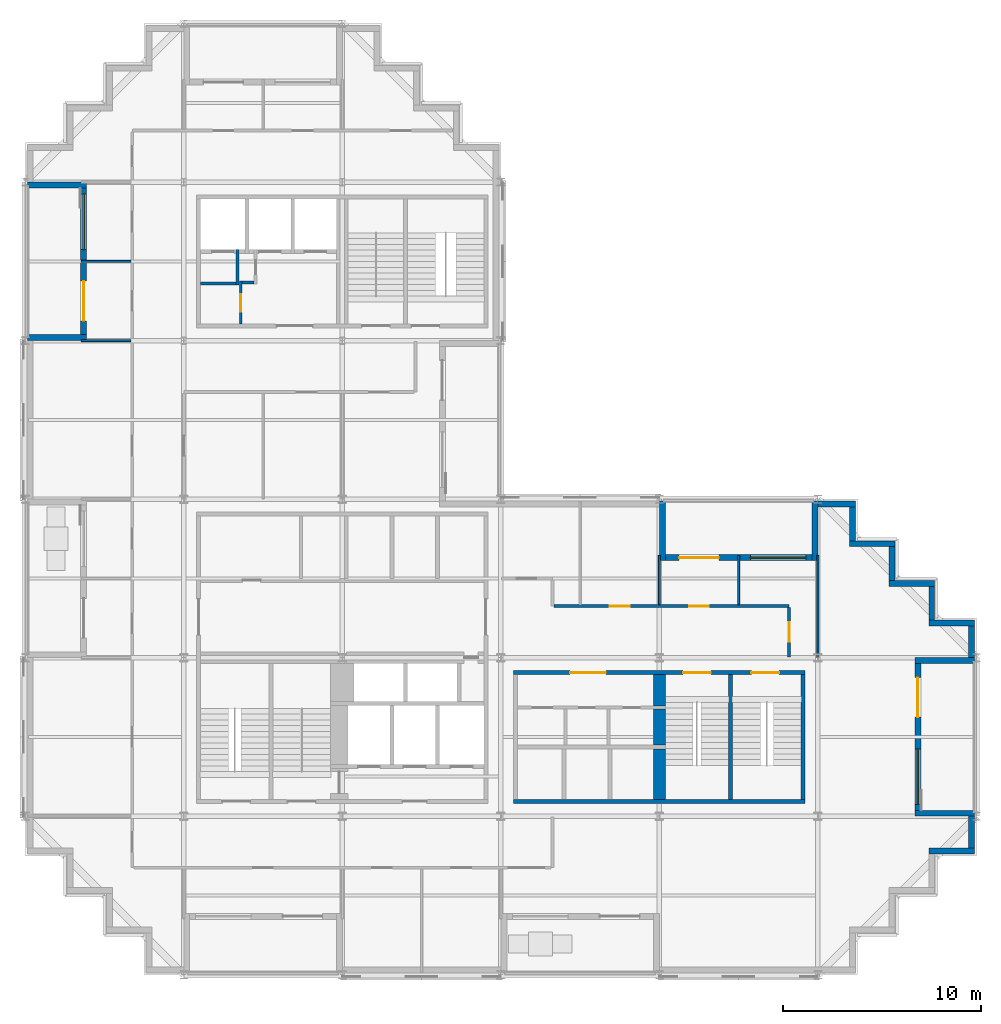
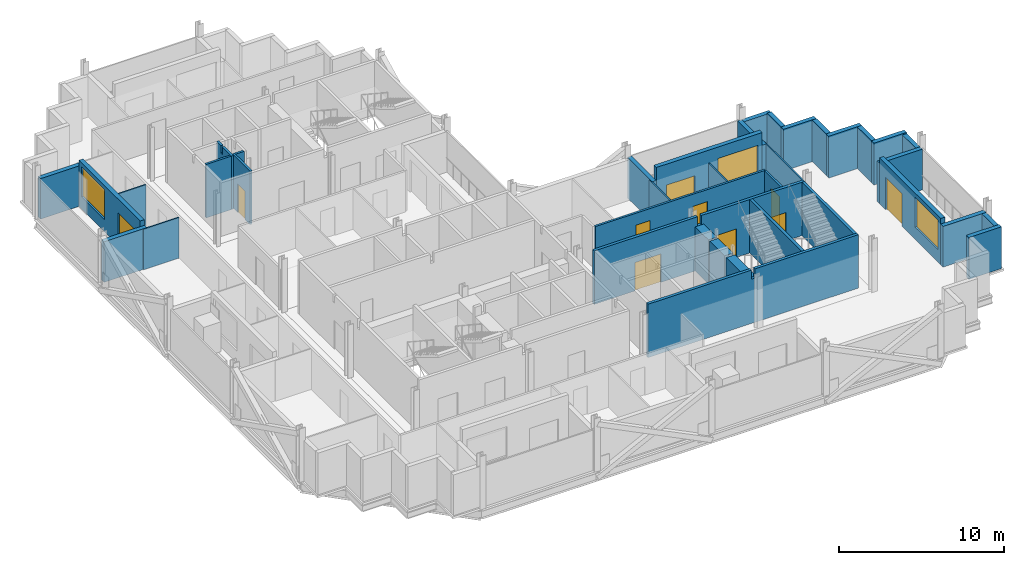
# One storey, part 7 of 12: 37 walls, 10 doors, 3 windows, 13 openings.
"""IFC4 building model written with IfcOpenShell, lengths in metres."""

from ifc_helpers import new_model, si_unit, direction, frame, frame_2d, origin, place, context, subcontext, project, spatial, polyline, rectangle, outline, extrude, material, layer, layer_set, type_object, element, fill, save


model = new_model("IFC4")

# Units and contexts
model_context = context("Model", 3, precision=1e-05, world=origin(), true_north=direction((0.0, 1.0)))
body_context = subcontext(model_context, "Body", "Model", "MODEL_VIEW")
ifc_project = project(units=[si_unit("LENGTHUNIT", "METRE"), si_unit("AREAUNIT", "SQUARE_METRE"), si_unit("VOLUMEUNIT", "CUBIC_METRE"), si_unit("PLANEANGLEUNIT", "RADIAN"), si_unit("MASSUNIT", "GRAM", prefix="KILO")], contexts=[model_context])

# Site, building, storey
site_placement = place(None, origin())
site = spatial("IfcSite", under=ifc_project, at=site_placement, CompositionType="ELEMENT")
building_placement = place(site_placement, origin())
building = spatial("IfcBuilding", under=site, at=building_placement, Name="Immortelle Media Tower", CompositionType="ELEMENT")
storey_placement = place(building_placement, frame((0.0, 0.0, 178.800048828125)))
storey = spatial("IfcBuildingStorey", under=building, at=storey_placement, Name="L37", CompositionType="ELEMENT", Elevation=178.800048828125)

# Walls
ifc_material_1 = material(Name="Fire-rated gypsum board", Category="gypsum")
ifc_layer_1 = layer(ifc_material_1, 0.02490234375)
ifc_material_2 = material(Name="Steel ASTM A653 SS Gr 50 stud frame with mineral wool", Category="steel")
ifc_layer_2 = layer(ifc_material_2, 0.10009765625)
ifc_layer_3 = layer(ifc_material_1, 0.02490234375)
ifc_layer_set_1 = layer_set([ifc_layer_1, ifc_layer_2, ifc_layer_3], Name="Steel ASTM A653 SS Gr 50 stud frame with mineral wool")
wall_type_1 = type_object("IfcWallType", Name="Core partition 150", PredefinedType="PARTITIONING", material=ifc_layer_set_1)
wall_1_placement = place(storey_placement, frame((8.85009765625, 34.875, 0.0), z_axis=(0.0, 0.0, 1.0), x_axis=(1.0, 0.0, 0.0)))
element("IfcWall", 1, at=wall_1_placement, inside=storey, type_object=wall_type_1, Name="Core partition NW", PredefinedType="PARTITIONING", context=body_context, shape_type="SweptSolid", body=[
    extrude(rectangle(XDim=1.77490234375, YDim=0.14990234375, at=frame_2d((0.887451171875, 0.0))), origin(), (0.0, 0.0, 1.0), 3.949951171875),
])
wall_2_placement = place(storey_placement, frame((10.699951171875, 34.800048828125, 0.0), z_axis=(0.0, 0.0, 1.0), x_axis=(0.0, 1.0, 0.0)))
element("IfcWall", 2, at=wall_2_placement, inside=storey, type_object=wall_type_1, Name="Core partition NW", PredefinedType="PARTITIONING", context=body_context, shape_type="SweptSolid", body=[
    extrude(outline(polyline([(0.0, 0.0), (1.800048828125, 0.0), (1.800048828125, 3.949951171875), (1.28857421875, 3.949951171875), (1.28759765625, 3.407958984375), (1.112548828125, 3.407958984375), (1.111572265625, 3.949951171875), (0.0, 3.949951171875), (0.0, 0.0)])), frame((0.0, 0.074951171875, 0.0), z_axis=(0.0, -1.0, 0.0), x_axis=(1.0, 0.0, 0.0)), (0.0, 0.0, 1.0), 0.14990234375),
])

# Wall, opening, door
wall_3_placement = place(storey_placement, frame((10.875, 32.85009765625, 0.0), z_axis=(0.0, 0.0, 1.0), x_axis=(0.0, 1.0, 0.0)))
wall_3 = element("IfcWall", 3, at=wall_3_placement, inside=storey, type_object=wall_type_1, Name="Core partition NW", PredefinedType="PARTITIONING", context=body_context, shape_type="SweptSolid", body=[
    extrude(rectangle(XDim=2.14990234375, YDim=0.14990234375, at=frame_2d((1.074951171875, 0.0))), origin(), (0.0, 0.0, 1.0), 3.949951171875),
])
opening_1_placement = place(wall_3_placement, frame((0.60009765625, 0.0, 0.0)))
opening_1 = element("IfcOpeningElement", 4, at=opening_1_placement, cuts=wall_3, Name="Opening C6-K023", PredefinedType="OPENING", context=body_context, shape_type="SweptSolid", body=[
    extrude(rectangle(XDim=0.89990234375, YDim=2.10009765625, at=frame_2d((0.449951171875, 1.050048828125))), frame((0.0, 0.0849609375, 0.0), z_axis=(0.0, -1.0, 0.0), x_axis=(1.0, 0.0, 0.0)), (0.0, 0.0, 1.0), 0.169921875),
])
ifc_material_3 = material(Name="Galvanised steel door leaf and frame ASTM A653", Category="steel")
door_type_1 = type_object("IfcDoorType", Name="Service door 900 x 2100", OperationType="NOTDEFINED", PredefinedType="NOTDEFINED", material=ifc_material_3)
door_1_placement = place(opening_1_placement, origin())
door_1 = element("IfcDoor", 5, at=door_1_placement, inside=storey, type_object=door_type_1, Name="Service C6-K023", OperationType="SINGLE_SWING_RIGHT", OverallHeight=2.10009765625, OverallWidth=0.89990234375, PredefinedType="NOTDEFINED", context=body_context, shape_type="SweptSolid", body=[
    extrude(rectangle(XDim=0.89990234375, YDim=2.10009765625, at=frame_2d((0.449951171875, 1.050048828125))), frame((0.0, 0.02490234375, 0.0), z_axis=(0.0, -1.0, 0.0), x_axis=(1.0, 0.0, 0.0)), (0.0, 0.0, 1.0), 0.050048828125),
])
fill(opening_1, door_1)

# Wall
wall_4_placement = place(storey_placement, frame((10.949951171875, 34.925048828125, 0.0), z_axis=(0.0, 0.0, 1.0), x_axis=(1.0, 0.0, 0.0)))
element("IfcWall", 6, at=wall_4_placement, inside=storey, type_object=wall_type_1, Name="Core partition NW", PredefinedType="PARTITIONING", context=body_context, shape_type="SweptSolid", body=[
    extrude(rectangle(XDim=0.60009765625, YDim=0.14990234375, at=frame_2d((0.300048828125, 0.0))), origin(), (0.0, 0.0, 1.0), 3.949951171875),
])

# Wall, opening, door
ifc_layer_4 = layer(ifc_material_1, 0.012451171875)
ifc_layer_5 = layer(ifc_material_2, 0.125)
ifc_layer_6 = layer(ifc_material_1, 0.012451171875)
ifc_layer_set_2 = layer_set([ifc_layer_4, ifc_layer_5, ifc_layer_6], Name="Steel ASTM A653 SS Gr 50 stud frame with mineral wool")
wall_type_2 = type_object("IfcWallType", Name="Corridor wall 150", PredefinedType="PARTITIONING", material=ifc_layer_set_2)
wall_5_placement = place(storey_placement, frame((38.550048828125, 16.030029296875, 0.0), z_axis=(0.0, 0.0, 1.0), x_axis=(0.0, 1.0, 0.0)))
wall_5 = element("IfcWall", 7, at=wall_5_placement, inside=storey, type_object=wall_type_2, Name="Partition L37-010", PredefinedType="PARTITIONING", context=body_context, shape_type="SweptSolid", body=[
    extrude(rectangle(XDim=2.494873046875, YDim=0.14990234375, at=frame_2d((1.24755859375, 0.0))), origin(), (0.0, 0.0, 1.0), 2.993896484375),
])
opening_2_placement = place(wall_5_placement, frame((1.77001953125, 0.0, 0.0), z_axis=(0.0, 0.0, 1.0), x_axis=(-1.0, 0.0, 0.0)))
opening_2 = element("IfcOpeningElement", 8, at=opening_2_placement, cuts=wall_5, Name="Opening C6-F008", PredefinedType="OPENING", context=body_context, shape_type="SweptSolid", body=[
    extrude(rectangle(XDim=1.0, YDim=2.10009765625, at=frame_2d((0.5, 1.050048828125))), frame((0.0, 0.0849609375, 0.0), z_axis=(0.0, -1.0, 0.0), x_axis=(1.0, 0.0, 0.0)), (0.0, 0.0, 1.0), 0.169921875),
])
ifc_material_4 = material(Name="Timber veneered door leaf, galvanised steel frame ASTM A653", Category="steel")
door_type_2 = type_object("IfcDoorType", Name="Room door 1000 x 2100", OperationType="NOTDEFINED", PredefinedType="DOOR", material=ifc_material_4)
door_2_placement = place(opening_2_placement, origin())
door_2 = element("IfcDoor", 9, at=door_2_placement, inside=storey, type_object=door_type_2, Name="Door C6-F008", OperationType="SINGLE_SWING_RIGHT", OverallHeight=2.10009765625, OverallWidth=1.0, PredefinedType="DOOR", context=body_context, shape_type="SweptSolid", body=[
    extrude(rectangle(XDim=1.0, YDim=2.10009765625, at=frame_2d((0.5, 1.050048828125))), frame((0.0, 0.02490234375, 0.0), z_axis=(0.0, -1.0, 0.0), x_axis=(1.0, 0.0, 0.0)), (0.0, 0.0, 1.0), 0.050048828125),
])
fill(opening_2, door_2)

# Wall, openings, doors
wall_6_placement = place(storey_placement, frame((26.675048828125, 18.60009765625, 0.0), z_axis=(0.0, 0.0, 1.0), x_axis=(1.0, 0.0, 0.0)))
wall_6 = element("IfcWall", 10, at=wall_6_placement, inside=storey, type_object=wall_type_2, Name="Partition L37-012", PredefinedType="PARTITIONING", context=body_context, shape_type="SweptSolid", body=[
    extrude(rectangle(XDim=11.875, YDim=0.14990234375, at=frame_2d((5.9375, 0.0))), origin(), (0.0, 0.0, 1.0), 2.993896484375),
])
opening_3_placement = place(wall_6_placement, frame((6.824951171875, 0.0, 0.0)))
opening_3 = element("IfcOpeningElement", 11, at=opening_3_placement, cuts=wall_6, Name="Opening C6-F007", PredefinedType="OPENING", context=body_context, shape_type="SweptSolid", body=[
    extrude(rectangle(XDim=1.0, YDim=2.10009765625, at=frame_2d((0.5, 1.050048828125))), frame((0.0, 0.0849609375, 0.0), z_axis=(0.0, -1.0, 0.0), x_axis=(1.0, 0.0, 0.0)), (0.0, 0.0, 1.0), 0.169921875),
])
opening_4_placement = place(wall_6_placement, frame((2.824951171875, 0.0, 0.0)))
opening_4 = element("IfcOpeningElement", 12, at=opening_4_placement, cuts=wall_6, Name="Opening C6-F012", PredefinedType="OPENING", context=body_context, shape_type="SweptSolid", body=[
    extrude(rectangle(XDim=1.0, YDim=2.10009765625, at=frame_2d((0.5, 1.050048828125))), frame((0.0, 0.0849609375, 0.0), z_axis=(0.0, -1.0, 0.0), x_axis=(1.0, 0.0, 0.0)), (0.0, 0.0, 1.0), 0.169921875),
])
door_3_placement = place(opening_3_placement, origin())
door_3 = element("IfcDoor", 13, at=door_3_placement, inside=storey, type_object=door_type_2, Name="Door C6-F007", OperationType="SINGLE_SWING_LEFT", OverallHeight=2.10009765625, OverallWidth=1.0, PredefinedType="DOOR", context=body_context, shape_type="SweptSolid", body=[
    extrude(rectangle(XDim=1.0, YDim=2.10009765625, at=frame_2d((0.5, 1.050048828125))), frame((0.0, 0.02490234375, 0.0), z_axis=(0.0, -1.0, 0.0), x_axis=(1.0, 0.0, 0.0)), (0.0, 0.0, 1.0), 0.050048828125),
])
fill(opening_3, door_3)
door_4_placement = place(opening_4_placement, origin())
door_4 = element("IfcDoor", 14, at=door_4_placement, inside=storey, type_object=door_type_2, Name="Door C6-F012", OperationType="SINGLE_SWING_RIGHT", OverallHeight=2.10009765625, OverallWidth=1.0, PredefinedType="DOOR", context=body_context, shape_type="SweptSolid", body=[
    extrude(rectangle(XDim=1.0, YDim=2.10009765625, at=frame_2d((0.5, 1.050048828125))), frame((0.0, 0.02490234375, 0.0), z_axis=(0.0, -1.0, 0.0), x_axis=(1.0, 0.0, 0.0)), (0.0, 0.0, 1.0), 0.050048828125),
])
fill(opening_4, door_4)

# Walls
ifc_material_5 = material(Name="Pale aluminium cladding panel", Category="aluminium")
ifc_layer_7 = layer(ifc_material_5, 0.030029296875)
ifc_layer_8 = layer(ifc_material_2, 0.257568359375)
ifc_material_6 = material(Name="Moisture-resistant gypsum board", Category="gypsum")
ifc_layer_9 = layer(ifc_material_6, 0.012451171875)
ifc_layer_set_3 = layer_set([ifc_layer_7, ifc_layer_8, ifc_layer_9], Name="Steel ASTM A653 SS Gr 50 stud frame with mineral wool")
wall_type_3 = type_object("IfcWallType", Name="Facade wall 300", PredefinedType="SOLIDWALL", material=ifc_layer_set_3)
wall_7_placement = place(storey_placement, frame((45.60009765625, 6.25, 0.0), z_axis=(0.0, 0.0, 1.0), x_axis=(1.0, 0.0, 0.0)))
element("IfcWall", 15, at=wall_7_placement, inside=storey, type_object=wall_type_3, Name="Facade wall L37 S12", PredefinedType="SOLIDWALL", context=body_context, shape_type="SweptSolid", body=[
    extrude(rectangle(XDim=2.2998046875, YDim=0.300048828125, at=frame_2d((1.14990234375, 0.0))), origin(), (0.0, 0.0, 1.0), 3.087890625),
])
wall_8_placement = place(storey_placement, frame((47.75, 6.39990234375, 0.0), z_axis=(0.0, 0.0, 1.0), x_axis=(0.0, 1.0, 0.0)))
element("IfcWall", 16, at=wall_8_placement, inside=storey, type_object=wall_type_3, Name="Facade wall L37 E13", PredefinedType="SOLIDWALL", context=body_context, shape_type="SweptSolid", body=[
    extrude(rectangle(XDim=1.60009765625, YDim=0.300048828125, at=frame_2d((0.800048828125, 0.0))), origin(), (0.0, 0.0, 1.0), 2.9990234375),
])

# Wall, openings, door, window
wall_9_placement = place(storey_placement, frame((45.050048828125, 8.300048828125, 0.0), z_axis=(0.0, 0.0, 1.0), x_axis=(0.0, 1.0, 0.0)))
wall_9 = element("IfcWall", 17, at=wall_9_placement, inside=storey, type_object=wall_type_3, Name="Loggia wall L37 E13", PredefinedType="SOLIDWALL", context=body_context, shape_type="SweptSolid", body=[
    extrude(rectangle(XDim=7.39990234375, YDim=0.300048828125, at=frame_2d((3.699951171875, 0.0))), origin(), (0.0, 0.0, 1.0), 3.412841796875),
])
opening_5_placement = place(wall_9_placement, frame((0.300048828125, 0.0, 0.89990234375)))
opening_5 = element("IfcOpeningElement", 18, at=opening_5_placement, cuts=wall_9, Name="Opening W1", PredefinedType="OPENING", context=body_context, shape_type="SweptSolid", body=[
    extrude(rectangle(XDim=2.800048828125, YDim=2.199951171875, at=frame_2d((1.39990234375, 1.10009765625))), frame((0.0, 0.159912109375, 0.0), z_axis=(0.0, -1.0, 0.0), x_axis=(1.0, 0.0, 0.0)), (0.0, 0.0, 1.0), 0.320068359375),
])
opening_6_placement = place(wall_9_placement, frame((4.699951171875, 0.0, 0.0)))
opening_6 = element("IfcOpeningElement", 19, at=opening_6_placement, cuts=wall_9, Name="Opening C6-E003", PredefinedType="OPENING", context=body_context, shape_type="SweptSolid", body=[
    extrude(rectangle(XDim=2.0, YDim=2.39990234375, at=frame_2d((1.0, 1.199951171875))), frame((0.0, 0.159912109375, 0.0), z_axis=(0.0, -1.0, 0.0), x_axis=(1.0, 0.0, 0.0)), (0.0, 0.0, 1.0), 0.320068359375),
])
ifc_material_7 = material(Name="Aluminium frame, glazed leaves", Category="aluminium")
door_type_3 = type_object("IfcDoorType", Name="Loggia door 2000 x 2400", OperationType="DOUBLE_DOOR_SINGLE_SWING", PredefinedType="DOOR", material=ifc_material_7)
door_5_placement = place(opening_6_placement, origin())
door_5 = element("IfcDoor", 20, at=door_5_placement, inside=storey, type_object=door_type_3, Name="Door C6-E003", OperationType="DOUBLE_DOOR_SINGLE_SWING", OverallHeight=2.39990234375, OverallWidth=2.0, PredefinedType="DOOR", context=body_context, shape_type="SweptSolid", body=[
    extrude(rectangle(XDim=2.0, YDim=2.39990234375, at=frame_2d((1.0, 1.199951171875))), frame((0.0, 0.02490234375, 0.0), z_axis=(0.0, -1.0, 0.0), x_axis=(1.0, 0.0, 0.0)), (0.0, 0.0, 1.0), 0.050048828125),
])
fill(opening_6, door_5)
ifc_material_8 = material(Name="Aluminium frame", Category="aluminium")
window_type = type_object("IfcWindowType", Name="Window 2800 x 2200", PartitioningType="SINGLE_PANEL", PredefinedType="WINDOW", material=ifc_material_8)
window_1_placement = place(opening_5_placement, origin())
window_1 = element("IfcWindow", 21, at=window_1_placement, inside=storey, type_object=window_type, Name="Window L37 L37-R13-B0", OverallHeight=2.199951171875, OverallWidth=2.800048828125, PartitioningType="SINGLE_PANEL", PredefinedType="WINDOW", context=body_context, shape_type="SweptSolid", body=[
    extrude(rectangle(XDim=2.800048828125, YDim=2.199951171875, at=frame_2d((1.39990234375, 1.10009765625))), frame((0.0, 0.030029296875, 0.0), z_axis=(0.0, -1.0, 0.0), x_axis=(1.0, 0.0, 0.0)), (0.0, 0.0, 1.0), 0.06005859375),
])
fill(opening_5, window_1)

# Walls
for number, where, z_axis, x_axis, name in (
    (22, (47.89990234375, 8.14990234375, 0.0), (0.0, 0.0, 1.0), (-1.0, 0.0, 0.0), "Loggia cheek wall L37 E"),
    (23, (47.89990234375, 15.85009765625, 0.0), (0.0, 0.0, 1.0), (-1.0, 0.0, 0.0), "Loggia cheek wall L37 E"),
):
    element("IfcWall", number, at=place(storey_placement, frame(where, z_axis=z_axis, x_axis=x_axis)), inside=storey, type_object=wall_type_3, Name=name, PredefinedType="SOLIDWALL", context=body_context, shape_type="SweptSolid", body=[
        extrude(rectangle(XDim=3.0, YDim=0.300048828125, at=frame_2d((1.5, 0.0))), origin(), (0.0, 0.0, 1.0), 2.9990234375),
    ])
wall_10_placement = place(storey_placement, frame((47.75, 16.0, 0.0), z_axis=(0.0, 0.0, 1.0), x_axis=(0.0, 1.0, 0.0)))
element("IfcWall", 24, at=wall_10_placement, inside=storey, type_object=wall_type_3, Name="Facade wall L37 E13", PredefinedType="SOLIDWALL", context=body_context, shape_type="SweptSolid", body=[
    extrude(rectangle(XDim=1.60009765625, YDim=0.300048828125, at=frame_2d((0.800048828125, 0.0))), origin(), (0.0, 0.0, 1.0), 2.9990234375),
])
wall_11_placement = place(storey_placement, frame((47.89990234375, 17.75, 0.0), z_axis=(0.0, 0.0, 1.0), x_axis=(-1.0, 0.0, 0.0)))
element("IfcWall", 25, at=wall_11_placement, inside=storey, type_object=wall_type_3, Name="Facade wall L37 N14", PredefinedType="SOLIDWALL", context=body_context, shape_type="SweptSolid", body=[
    extrude(rectangle(XDim=2.2998046875, YDim=0.300048828125, at=frame_2d((1.14990234375, 0.0))), origin(), (0.0, 0.0, 1.0), 3.087890625),
])
wall_12_placement = place(storey_placement, frame((45.75, 17.89990234375, 0.0), z_axis=(0.0, 0.0, 1.0), x_axis=(0.0, 1.0, 0.0)))
element("IfcWall", 26, at=wall_12_placement, inside=storey, type_object=wall_type_3, Name="Facade wall L37 E15", PredefinedType="SOLIDWALL", context=body_context, shape_type="SweptSolid", body=[
    extrude(rectangle(XDim=1.7001953125, YDim=0.300048828125, at=frame_2d((0.85009765625, 0.0))), origin(), (0.0, 0.0, 1.0), 3.087890625),
])
wall_13_placement = place(storey_placement, frame((45.89990234375, 19.75, 0.0), z_axis=(0.0, 0.0, 1.0), x_axis=(-1.0, 0.0, 0.0)))
element("IfcWall", 27, at=wall_13_placement, inside=storey, type_object=wall_type_3, Name="Facade wall L37 N16", PredefinedType="SOLIDWALL", context=body_context, shape_type="SweptSolid", body=[
    extrude(rectangle(XDim=2.2998046875, YDim=0.300048828125, at=frame_2d((1.14990234375, 0.0))), origin(), (0.0, 0.0, 1.0), 3.087890625),
])
wall_14_placement = place(storey_placement, frame((43.75, 19.89990234375, 0.0), z_axis=(0.0, 0.0, 1.0), x_axis=(0.0, 1.0, 0.0)))
element("IfcWall", 28, at=wall_14_placement, inside=storey, type_object=wall_type_3, Name="Facade wall L37 E17", PredefinedType="SOLIDWALL", context=body_context, shape_type="SweptSolid", body=[
    extrude(rectangle(XDim=1.7001953125, YDim=0.300048828125, at=frame_2d((0.85009765625, 0.0))), origin(), (0.0, 0.0, 1.0), 3.087890625),
])
wall_15_placement = place(storey_placement, frame((43.89990234375, 21.75, 0.0), z_axis=(0.0, 0.0, 1.0), x_axis=(-1.0, 0.0, 0.0)))
element("IfcWall", 29, at=wall_15_placement, inside=storey, type_object=wall_type_3, Name="Facade wall L37 N18", PredefinedType="SOLIDWALL", context=body_context, shape_type="SweptSolid", body=[
    extrude(rectangle(XDim=2.2998046875, YDim=0.300048828125, at=frame_2d((1.14990234375, 0.0))), origin(), (0.0, 0.0, 1.0), 3.087890625),
])
wall_16_placement = place(storey_placement, frame((41.75, 21.89990234375, 0.0), z_axis=(0.0, 0.0, 1.0), x_axis=(0.0, 1.0, 0.0)))
element("IfcWall", 30, at=wall_16_placement, inside=storey, type_object=wall_type_3, Name="Facade wall L37 E19", PredefinedType="SOLIDWALL", context=body_context, shape_type="SweptSolid", body=[
    extrude(rectangle(XDim=1.7001953125, YDim=0.300048828125, at=frame_2d((0.85009765625, 0.0))), origin(), (0.0, 0.0, 1.0), 3.087890625),
])
wall_17_placement = place(storey_placement, frame((41.89990234375, 23.75, 0.0), z_axis=(0.0, 0.0, 1.0), x_axis=(-1.0, 0.0, 0.0)))
element("IfcWall", 31, at=wall_17_placement, inside=storey, type_object=wall_type_3, Name="Facade wall L37 N20", PredefinedType="SOLIDWALL", context=body_context, shape_type="SweptSolid", body=[
    extrude(rectangle(XDim=1.89990234375, YDim=0.300048828125, at=frame_2d((0.949951171875, 0.0))), origin(), (0.0, 0.0, 1.0), 2.9990234375),
])

# Wall, openings, door, window
wall_18_placement = place(storey_placement, frame((39.699951171875, 21.050048828125, 0.0), z_axis=(0.0, 0.0, 1.0), x_axis=(-1.0, 0.0, 0.0)))
wall_18 = element("IfcWall", 32, at=wall_18_placement, inside=storey, type_object=wall_type_3, Name="Loggia wall L37 N20", PredefinedType="SOLIDWALL", context=body_context, shape_type="SweptSolid", body=[
    extrude(rectangle(XDim=7.39990234375, YDim=0.300048828125, at=frame_2d((3.699951171875, 0.0))), origin(), (0.0, 0.0, 1.0), 3.949951171875),
])
opening_7_placement = place(wall_18_placement, frame((0.300048828125, 0.0, 0.89990234375)))
opening_7 = element("IfcOpeningElement", 33, at=opening_7_placement, cuts=wall_18, Name="Opening W1", PredefinedType="OPENING", context=body_context, shape_type="SweptSolid", body=[
    extrude(rectangle(XDim=2.800048828125, YDim=2.199951171875, at=frame_2d((1.39990234375, 1.10009765625))), frame((0.0, 0.159912109375, 0.0), z_axis=(0.0, -1.0, 0.0), x_axis=(1.0, 0.0, 0.0)), (0.0, 0.0, 1.0), 0.320068359375),
])
opening_8_placement = place(wall_18_placement, frame((4.699951171875, 0.0, 0.0)))
opening_8 = element("IfcOpeningElement", 34, at=opening_8_placement, cuts=wall_18, Name="Opening C6-E004", PredefinedType="OPENING", context=body_context, shape_type="SweptSolid", body=[
    extrude(rectangle(XDim=2.0, YDim=2.39990234375, at=frame_2d((1.0, 1.199951171875))), frame((0.0, 0.159912109375, 0.0), z_axis=(0.0, -1.0, 0.0), x_axis=(1.0, 0.0, 0.0)), (0.0, 0.0, 1.0), 0.320068359375),
])
door_6_placement = place(opening_8_placement, origin())
door_6 = element("IfcDoor", 35, at=door_6_placement, inside=storey, type_object=door_type_3, Name="Door C6-E004", OperationType="DOUBLE_DOOR_SINGLE_SWING", OverallHeight=2.39990234375, OverallWidth=2.0, PredefinedType="DOOR", context=body_context, shape_type="SweptSolid", body=[
    extrude(rectangle(XDim=2.0, YDim=2.39990234375, at=frame_2d((1.0, 1.199951171875))), frame((0.0, 0.02490234375, 0.0), z_axis=(0.0, -1.0, 0.0), x_axis=(1.0, 0.0, 0.0)), (0.0, 0.0, 1.0), 0.050048828125),
])
fill(opening_8, door_6)
window_2_placement = place(opening_7_placement, origin())
window_2 = element("IfcWindow", 36, at=window_2_placement, inside=storey, type_object=window_type, Name="Window L37 L37-R20-B0", OverallHeight=2.199951171875, OverallWidth=2.800048828125, PartitioningType="SINGLE_PANEL", PredefinedType="WINDOW", context=body_context, shape_type="SweptSolid", body=[
    extrude(rectangle(XDim=2.800048828125, YDim=2.199951171875, at=frame_2d((1.39990234375, 1.10009765625))), frame((0.0, 0.030029296875, 0.0), z_axis=(0.0, -1.0, 0.0), x_axis=(1.0, 0.0, 0.0)), (0.0, 0.0, 1.0), 0.06005859375),
])
fill(opening_7, window_2)

# Walls
for number, where, z_axis, x_axis, name in (
    (37, (39.85009765625, 23.89990234375, 0.0), (0.0, 0.0, 1.0), (0.0, -1.0, 0.0), "Loggia cheek wall L37 N"),
    (38, (32.14990234375, 23.89990234375, 0.0), (0.0, 0.0, 1.0), (0.0, -1.0, 0.0), "Loggia cheek wall L37 N"),
):
    element("IfcWall", number, at=place(storey_placement, frame(where, z_axis=z_axis, x_axis=x_axis)), inside=storey, type_object=wall_type_3, Name=name, PredefinedType="SOLIDWALL", context=body_context, shape_type="SweptSolid", body=[
        extrude(rectangle(XDim=3.0, YDim=0.300048828125, at=frame_2d((1.5, 0.0))), origin(), (0.0, 0.0, 1.0), 2.9990234375),
    ])

# Wall, openings, door, window
wall_19_placement = place(storey_placement, frame((2.949951171875, 39.699951171875, 0.0), z_axis=(0.0, 0.0, 1.0), x_axis=(0.0, -1.0, 0.0)))
wall_19 = element("IfcWall", 39, at=wall_19_placement, inside=storey, type_object=wall_type_3, Name="Loggia wall L37 W35", PredefinedType="SOLIDWALL", context=body_context, shape_type="SweptSolid", body=[
    extrude(rectangle(XDim=7.39990234375, YDim=0.300048828125, at=frame_2d((3.699951171875, 0.0))), origin(), (0.0, 0.0, 1.0), 3.412841796875),
])
opening_9_placement = place(wall_19_placement, frame((0.300048828125, 0.0, 0.89990234375)))
opening_9 = element("IfcOpeningElement", 40, at=opening_9_placement, cuts=wall_19, Name="Opening W1", PredefinedType="OPENING", context=body_context, shape_type="SweptSolid", body=[
    extrude(rectangle(XDim=2.800048828125, YDim=2.199951171875, at=frame_2d((1.39990234375, 1.10009765625))), frame((0.0, 0.159912109375, 0.0), z_axis=(0.0, -1.0, 0.0), x_axis=(1.0, 0.0, 0.0)), (0.0, 0.0, 1.0), 0.320068359375),
])
opening_10_placement = place(wall_19_placement, frame((4.699951171875, 0.0, 0.0)))
opening_10 = element("IfcOpeningElement", 41, at=opening_10_placement, cuts=wall_19, Name="Opening C6-E007", PredefinedType="OPENING", context=body_context, shape_type="SweptSolid", body=[
    extrude(rectangle(XDim=2.0, YDim=2.39990234375, at=frame_2d((1.0, 1.199951171875))), frame((0.0, 0.159912109375, 0.0), z_axis=(0.0, -1.0, 0.0), x_axis=(1.0, 0.0, 0.0)), (0.0, 0.0, 1.0), 0.320068359375),
])
door_7_placement = place(opening_10_placement, origin())
door_7 = element("IfcDoor", 42, at=door_7_placement, inside=storey, type_object=door_type_3, Name="Door C6-E007", OperationType="DOUBLE_DOOR_SINGLE_SWING", OverallHeight=2.39990234375, OverallWidth=2.0, PredefinedType="DOOR", context=body_context, shape_type="SweptSolid", body=[
    extrude(rectangle(XDim=2.0, YDim=2.39990234375, at=frame_2d((1.0, 1.199951171875))), frame((0.0, 0.02490234375, 0.0), z_axis=(0.0, -1.0, 0.0), x_axis=(1.0, 0.0, 0.0)), (0.0, 0.0, 1.0), 0.050048828125),
])
fill(opening_10, door_7)
window_3_placement = place(opening_9_placement, origin())
window_3 = element("IfcWindow", 43, at=window_3_placement, inside=storey, type_object=window_type, Name="Window L37 L37-R35-B0", OverallHeight=2.199951171875, OverallWidth=2.800048828125, PartitioningType="SINGLE_PANEL", PredefinedType="WINDOW", context=body_context, shape_type="SweptSolid", body=[
    extrude(rectangle(XDim=2.800048828125, YDim=2.199951171875, at=frame_2d((1.39990234375, 1.10009765625))), frame((0.0, 0.030029296875, 0.0), z_axis=(0.0, -1.0, 0.0), x_axis=(1.0, 0.0, 0.0)), (0.0, 0.0, 1.0), 0.06005859375),
])
fill(opening_9, window_3)

# Walls
for number, where, z_axis, x_axis, name in (
    (44, (0.10009765625, 39.85009765625, 0.0), (0.0, 0.0, 1.0), (1.0, 0.0, 0.0), "Loggia cheek wall L37 W"),
    (45, (0.10009765625, 32.14990234375, 0.0), (0.0, 0.0, 1.0), (1.0, 0.0, 0.0), "Loggia cheek wall L37 W"),
):
    element("IfcWall", number, at=place(storey_placement, frame(where, z_axis=z_axis, x_axis=x_axis)), inside=storey, type_object=wall_type_3, Name=name, PredefinedType="SOLIDWALL", context=body_context, shape_type="SweptSolid", body=[
        extrude(rectangle(XDim=3.0, YDim=0.300048828125, at=frame_2d((1.5, 0.0))), origin(), (0.0, 0.0, 1.0), 2.9990234375),
    ])
ifc_material_9 = material(Name="Gypsum board", Category="gypsum")
ifc_layer_10 = layer(ifc_material_9, 0.012451171875)
ifc_layer_11 = layer(ifc_material_2, 0.074951171875)
ifc_layer_12 = layer(ifc_material_9, 0.012451171875)
ifc_layer_set_4 = layer_set([ifc_layer_10, ifc_layer_11, ifc_layer_12], Name="Steel ASTM A653 SS Gr 50 stud frame with mineral wool")
wall_type_4 = type_object("IfcWallType", Name="Partition 100", PredefinedType="PARTITIONING", material=ifc_layer_set_4)
wall_20_placement = place(storey_placement, frame((40.0, 16.030029296875, 0.0), z_axis=(0.0, 0.0, 1.0), x_axis=(0.0, 1.0, 0.0)))
element("IfcWall", 46, at=wall_20_placement, inside=storey, type_object=wall_type_4, Name="Partition L37-011", PredefinedType="PARTITIONING", context=body_context, shape_type="SweptSolid", body=[
    extrude(rectangle(XDim=5.139892578125, YDim=0.10009765625, at=frame_2d((2.56982421875, 0.0))), origin(), (0.0, 0.0, 1.0), 2.993896484375),
])
for number, where, z_axis, x_axis, name in (
    (47, (32.0, 18.675048828125, 0.0), (0.0, 0.0, 1.0), (0.0, 1.0, 0.0), "Partition L37-015"),
    (48, (36.0, 18.675048828125, 0.0), (0.0, 0.0, 1.0), (0.0, 1.0, 0.0), "Partition L37-016"),
    (49, (2.830078125, 32.0, 0.0), (0.0, 0.0, 1.0), (1.0, 0.0, 0.0), "Partition L37-025"),
    (50, (2.830078125, 36.0, 0.0), (0.0, 0.0, 1.0), (1.0, 0.0, 0.0), "Partition L37-026"),
):
    element("IfcWall", number, at=place(storey_placement, frame(where, z_axis=z_axis, x_axis=x_axis)), inside=storey, type_object=wall_type_4, Name=name, PredefinedType="PARTITIONING", context=body_context, shape_type="SweptSolid", body=[
        extrude(rectangle(XDim=2.494873046875, YDim=0.10009765625, at=frame_2d((1.24755859375, 0.0))), origin(), (0.0, 0.0, 1.0), 2.993896484375),
    ])
ifc_material_10 = material(Name="Concrete C60", Category="concrete")
ifc_layer_13 = layer(ifc_material_10, 0.199951171875)
ifc_layer_set_5 = layer_set([ifc_layer_13], Name="Concrete C60")
wall_type_5 = type_object("IfcWallType", Name="Stair shaft wall 200", PredefinedType="PARTITIONING", material=ifc_layer_set_5)
wall_21_placement = place(storey_placement, frame((24.64990234375, 8.75, 0.0), z_axis=(0.0, 0.0, 1.0), x_axis=(1.0, 0.0, 0.0)))
element("IfcWall", 51, at=wall_21_placement, inside=storey, type_object=wall_type_5, Name="Stair shaft wall SE", PredefinedType="PARTITIONING", context=body_context, shape_type="SweptSolid", body=[
    extrude(outline(polyline([(0.0, 0.0), (14.7001953125, 0.0), (14.699951171875, 3.949951171875), (7.4814453125, 3.949951171875), (7.48046875, 3.265869140625), (7.219482421875, 3.265869140625), (7.218505859375, 3.949951171875), (0.0, 3.949951171875), (0.0, 0.0)])), frame((0.0, 0.10009765625, 0.0), z_axis=(0.0, -1.0, 0.0), x_axis=(1.0, 0.0, 0.0)), (0.0, 0.0, 1.0), 0.199951171875),
])

# Wall, openings, doors
wall_22_placement = place(storey_placement, frame((24.64990234375, 15.25, 0.0), z_axis=(0.0, 0.0, 1.0), x_axis=(1.0, 0.0, 0.0)))
wall_22 = element("IfcWall", 52, at=wall_22_placement, inside=storey, type_object=wall_type_5, Name="Stair shaft wall SE", PredefinedType="PARTITIONING", context=body_context, shape_type="SweptSolid", body=[
    extrude(outline(polyline([(0.0, 0.0), (14.7001953125, 0.0), (14.699951171875, 3.949951171875), (7.4814453125, 3.949951171875), (7.48046875, 3.265869140625), (7.219482421875, 3.265869140625), (7.218505859375, 3.949951171875), (0.0, 3.949951171875), (0.0, 0.0)])), frame((0.0, 0.10009765625, 0.0), z_axis=(0.0, -1.0, 0.0), x_axis=(1.0, 0.0, 0.0)), (0.0, 0.0, 1.0), 0.199951171875),
])
opening_11_placement = place(wall_22_placement, frame((2.85009765625, 0.0, 0.0)))
opening_11 = element("IfcOpeningElement", 53, at=opening_11_placement, cuts=wall_22, Name="Opening C6-K017", PredefinedType="OPENING", context=body_context, shape_type="SweptSolid", body=[
    extrude(rectangle(XDim=1.800048828125, YDim=2.10009765625, at=frame_2d((0.89990234375, 1.050048828125))), frame((0.0, 0.10986328125, 0.0), z_axis=(0.0, -1.0, 0.0), x_axis=(1.0, 0.0, 0.0)), (0.0, 0.0, 1.0), 0.219970703125),
])
opening_12_placement = place(wall_22_placement, frame((9.949951171875, 0.0, 0.0), z_axis=(0.0, 0.0, 1.0), x_axis=(-1.0, 0.0, 0.0)))
opening_12 = element("IfcOpeningElement", 54, at=opening_12_placement, cuts=wall_22, Name="Opening C6-K020", PredefinedType="OPENING", context=body_context, shape_type="SweptSolid", body=[
    extrude(rectangle(XDim=1.39990234375, YDim=2.10009765625, at=frame_2d((0.699951171875, 1.050048828125))), frame((0.0, 0.10986328125, 0.0), z_axis=(0.0, -1.0, 0.0), x_axis=(1.0, 0.0, 0.0)), (0.0, 0.0, 1.0), 0.219970703125),
])
opening_13_placement = place(wall_22_placement, frame((13.39990234375, 0.0, 0.0), z_axis=(0.0, 0.0, 1.0), x_axis=(-1.0, 0.0, 0.0)))
opening_13 = element("IfcOpeningElement", 55, at=opening_13_placement, cuts=wall_22, Name="Opening C6-K021", PredefinedType="OPENING", context=body_context, shape_type="SweptSolid", body=[
    extrude(rectangle(XDim=1.39990234375, YDim=2.10009765625, at=frame_2d((0.699951171875, 1.050048828125))), frame((0.0, 0.10986328125, 0.0), z_axis=(0.0, -1.0, 0.0), x_axis=(1.0, 0.0, 0.0)), (0.0, 0.0, 1.0), 0.219970703125),
])
door_type_4 = type_object("IfcDoorType", Name="Lift lobby door 1800 x 2100", OperationType="DOUBLE_DOOR_SINGLE_SWING", PredefinedType="NOTDEFINED", material=ifc_material_3)
door_8_placement = place(opening_11_placement, origin())
door_8 = element("IfcDoor", 56, at=door_8_placement, inside=storey, type_object=door_type_4, Name="Lift lobby C6-K017", OperationType="DOUBLE_DOOR_SINGLE_SWING", OverallHeight=2.10009765625, OverallWidth=1.800048828125, PredefinedType="NOTDEFINED", context=body_context, shape_type="SweptSolid", body=[
    extrude(rectangle(XDim=1.800048828125, YDim=2.10009765625, at=frame_2d((0.89990234375, 1.050048828125))), frame((0.0, 0.02490234375, 0.0), z_axis=(0.0, -1.0, 0.0), x_axis=(1.0, 0.0, 0.0)), (0.0, 0.0, 1.0), 0.050048828125),
])
fill(opening_11, door_8)
door_type_5 = type_object("IfcDoorType", Name="Stair door 1400 x 2100", OperationType="DOUBLE_DOOR_SINGLE_SWING", PredefinedType="NOTDEFINED", material=ifc_material_3)
door_9_placement = place(opening_12_placement, origin())
door_9 = element("IfcDoor", 57, at=door_9_placement, inside=storey, type_object=door_type_5, Name="Stair C6-K020", OperationType="DOUBLE_DOOR_SINGLE_SWING", OverallHeight=2.10009765625, OverallWidth=1.39990234375, PredefinedType="NOTDEFINED", context=body_context, shape_type="SweptSolid", body=[
    extrude(rectangle(XDim=1.39990234375, YDim=2.10009765625, at=frame_2d((0.699951171875, 1.050048828125))), frame((0.0, 0.02490234375, 0.0), z_axis=(0.0, -1.0, 0.0), x_axis=(1.0, 0.0, 0.0)), (0.0, 0.0, 1.0), 0.050048828125),
])
fill(opening_12, door_9)
door_10_placement = place(opening_13_placement, origin())
door_10 = element("IfcDoor", 58, at=door_10_placement, inside=storey, type_object=door_type_5, Name="Stair C6-K021", OperationType="DOUBLE_DOOR_SINGLE_SWING", OverallHeight=2.10009765625, OverallWidth=1.39990234375, PredefinedType="NOTDEFINED", context=body_context, shape_type="SweptSolid", body=[
    extrude(rectangle(XDim=1.39990234375, YDim=2.10009765625, at=frame_2d((0.699951171875, 1.050048828125))), frame((0.0, 0.02490234375, 0.0), z_axis=(0.0, -1.0, 0.0), x_axis=(1.0, 0.0, 0.0)), (0.0, 0.0, 1.0), 0.050048828125),
])
fill(opening_13, door_10)

# Walls
for number, where, z_axis, x_axis, name in (
    (59, (35.60009765625, 8.85009765625, 0.0), (0.0, 0.0, 1.0), (0.0, 1.0, 0.0), "Stair shaft wall SE"),
    (60, (39.25, 8.85009765625, 0.0), (0.0, 0.0, 1.0), (0.0, 1.0, 0.0), "Stair shaft wall SE"),
):
    element("IfcWall", number, at=place(storey_placement, frame(where, z_axis=z_axis, x_axis=x_axis)), inside=storey, type_object=wall_type_5, Name=name, PredefinedType="PARTITIONING", context=body_context, shape_type="SweptSolid", body=[
        extrude(rectangle(XDim=6.2998046875, YDim=0.199951171875, at=frame_2d((3.14990234375, 0.0))), origin(), (0.0, 0.0, 1.0), 3.949951171875),
    ])
ifc_layer_14 = layer(ifc_material_10, 0.60009765625)
ifc_layer_set_6 = layer_set([ifc_layer_14], Name="Concrete C60")
wall_type_6 = type_object("IfcWallType", Name="Stair shaft wall 600", PredefinedType="PARTITIONING", material=ifc_layer_set_6)
wall_23_placement = place(storey_placement, frame((32.0, 8.85009765625, 0.0), z_axis=(0.0, 0.0, 1.0), x_axis=(0.0, 1.0, 0.0)))
element("IfcWall", 61, at=wall_23_placement, inside=storey, type_object=wall_type_6, Name="Stair shaft wall SE", PredefinedType="PARTITIONING", context=body_context, shape_type="SweptSolid", body=[
    extrude(rectangle(XDim=2.5498046875, YDim=0.60009765625, at=frame_2d((1.27490234375, 0.0))), origin(), (0.0, 0.0, 1.0), 3.265869140625),
])
wall_24_placement = place(storey_placement, frame((32.0, 11.60009765625, 0.0), z_axis=(0.0, 0.0, 1.0), x_axis=(0.0, 1.0, 0.0)))
element("IfcWall", 62, at=wall_24_placement, inside=storey, type_object=wall_type_6, Name="Stair shaft wall SE", PredefinedType="PARTITIONING", context=body_context, shape_type="SweptSolid", body=[
    extrude(rectangle(XDim=1.7998046875, YDim=0.60009765625, at=frame_2d((0.89990234375, 0.0))), origin(), (0.0, 0.0, 1.0), 3.265869140625),
])
wall_25_placement = place(storey_placement, frame((32.0, 13.550048828125, 0.0), z_axis=(0.0, 0.0, 1.0), x_axis=(0.0, 1.0, 0.0)))
element("IfcWall", 63, at=wall_25_placement, inside=storey, type_object=wall_type_6, Name="Stair shaft wall SE", PredefinedType="PARTITIONING", context=body_context, shape_type="SweptSolid", body=[
    extrude(rectangle(XDim=1.599853515625, YDim=0.60009765625, at=frame_2d((0.7998046875, 0.0))), origin(), (0.0, 0.0, 1.0), 3.265869140625),
])

save(model, "model.ifc")
